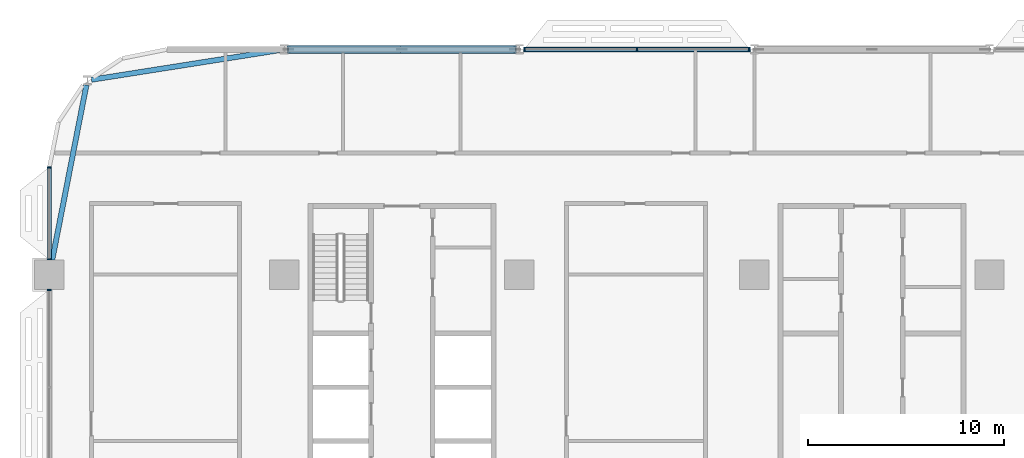
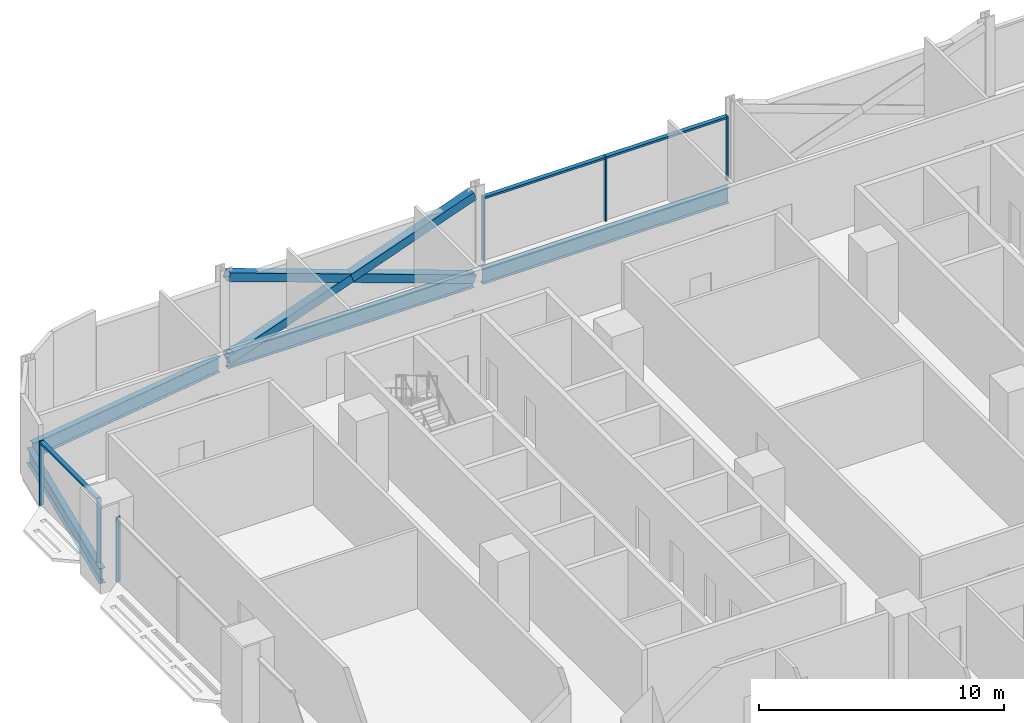
# One storey, part 6 of 29: 12 members, 4 beams, 3 elements without a shape of their own.
"""IFC4 building model written with IfcOpenShell, lengths in metres."""

from ifc_helpers import new_model, si_unit, direction, frame, origin, origin_2d, place, context, subcontext, project, spatial, rectangle, hollow_rectangle, i_section, extrude, material, material_profile, profile_set, type_object, element, aggregate, save


model = new_model("IFC4")

# Units and contexts
model_context = context("Model", 3, precision=1e-05, world=origin(), true_north=direction((0.0, 1.0)))
body_context = subcontext(model_context, "Body", "Model", "MODEL_VIEW")
ifc_project = project(units=[si_unit("LENGTHUNIT", "METRE"), si_unit("AREAUNIT", "SQUARE_METRE"), si_unit("VOLUMEUNIT", "CUBIC_METRE"), si_unit("PLANEANGLEUNIT", "RADIAN"), si_unit("MASSUNIT", "GRAM", prefix="KILO")], contexts=[model_context])

# Site, building, storey
site_placement = place(None, origin())
site = spatial("IfcSite", under=ifc_project, at=site_placement, CompositionType="ELEMENT")
building_placement = place(site_placement, origin())
building = spatial("IfcBuilding", under=site, at=building_placement, Name="Mahtab Terrace Research Tower", CompositionType="ELEMENT")
storey_placement = place(building_placement, frame((0.0, 0.0, 54.60009765625)))
storey = spatial("IfcBuildingStorey", under=building, at=storey_placement, Name="L12", CompositionType="ELEMENT", Elevation=54.60009765625)

# Members
ifc_material_1 = material(Name="Steel ASTM A500 Gr C", Category="steel")
ifc_material_profile_1 = material_profile(ifc_material_1, hollow_rectangle(XDim=0.406494140625, YDim=0.406494140625, WallThickness=0.01904296875, at=origin_2d()), Name="HSS16X16X3/4")
ifc_profile_set_1 = profile_set([ifc_material_profile_1], Name="Steel ASTM A500 Gr C")
member_type_1 = type_object("IfcMemberType", Name="HSS 16x16x3/4 brace XB161634", PredefinedType="BRACE", material=ifc_profile_set_1)
member_1_placement = place(storey_placement, frame((-18.212158203125, 23.0, -0.642578125), z_axis=(-0.941386519928, 0.0, 0.337329838731), x_axis=(0.0, -1.0, 0.0)))
element("IfcMember", 1, at=member_1_placement, inside=storey, type_object=member_type_1, Name="Exoskeleton brace L12 07 a", PredefinedType="BRACE", context=body_context, shape_type="SweptSolid", body=[
    extrude(hollow_rectangle(XDim=0.406494140625, YDim=0.406494140625, WallThickness=0.01904296875, at=origin_2d()), origin(), (0.0, 0.0, 1.0), 12.29638671875),
])
for number, where, z_axis, x_axis, name in (
    (2, (-29.787841796875, 23.0, -0.642578125), (0.941386519928, 0.0, 0.337329838731), (0.0, 1.0, 0.0), "Exoskeleton brace L12 07 b1"),
    (3, (-24.0, 23.0, 1.431396484375), (0.941386519928, 0.0, 0.337329838731), (0.0, 1.0, 0.0), "Exoskeleton brace L12 07 b2"),
):
    element("IfcMember", number, at=place(storey_placement, frame(where, z_axis=z_axis, x_axis=x_axis)), inside=storey, type_object=member_type_1, Name=name, PredefinedType="BRACE", context=body_context, shape_type="SweptSolid", body=[
        extrude(hollow_rectangle(XDim=0.406494140625, YDim=0.406494140625, WallThickness=0.01904296875, at=origin_2d()), origin(), (0.0, 0.0, 1.0), 6.148193359375),
    ])

# Curtain wall, members
ifc_material_2 = material(Name="Laboratory ribbon curtain wall")
curtain_wall_type = type_object("IfcCurtainWallType", Name="Laboratory ribbon curtain wall", PredefinedType="NOTDEFINED", material=ifc_material_2)
curtain_wall_1_placement = place(storey_placement, origin())
curtain_wall_1 = element("IfcCurtainWall", 4, at=curtain_wall_1_placement, inside=storey, type_object=curtain_wall_type, Name="EN.L12.3.8", PredefinedType="NOTDEFINED")
ifc_material_3 = material(Name="Natural anodised aluminium", Category="aluminium")
ifc_material_profile_2 = material_profile(ifc_material_3, rectangle(XDim=0.199951171875, YDim=0.06494140625, at=origin_2d()), Name="MULLION 65x200")
ifc_profile_set_2 = profile_set([ifc_material_profile_2], Name="Natural anodised aluminium")
member_type_2 = type_object("IfcMemberType", Name="Laboratory ribbon curtain wall mullion", PredefinedType="MULLION", material=ifc_profile_set_2)
member_2_placement = place(storey_placement, frame((-6.2705078125, 23.0, 0.0), z_axis=(0.0, 0.0, 1.0), x_axis=(0.0, -1.0, 0.0)))
member_2 = element("IfcMember", 5, at=member_2_placement, type_object=member_type_2, Name="CWL-2 mullion 1", PredefinedType="MULLION", context=body_context, shape_type="SweptSolid", body=[
    extrude(rectangle(XDim=0.199951171875, YDim=0.06494140625, at=origin_2d()), origin(), (0.0, 0.0, 1.0), 3.202880859375),
])
member_3_placement = place(storey_placement, frame((-12.0, 23.0, 0.0), z_axis=(0.0, 0.0, 1.0), x_axis=(0.0, -1.0, 0.0)))
member_3 = element("IfcMember", 6, at=member_3_placement, type_object=member_type_2, Name="CWL-2 mullion 2", PredefinedType="MULLION", context=body_context, shape_type="SweptSolid", body=[
    extrude(rectangle(XDim=0.199951171875, YDim=0.06494140625, at=origin_2d()), origin(), (0.0, 0.0, 1.0), 3.202880859375),
])
member_4_placement = place(storey_placement, frame((-17.7294921875, 23.0, 0.0), z_axis=(0.0, 0.0, 1.0), x_axis=(0.0, -1.0, 0.0)))
member_4 = element("IfcMember", 7, at=member_4_placement, type_object=member_type_2, Name="CWL-2 mullion 3", PredefinedType="MULLION", context=body_context, shape_type="SweptSolid", body=[
    extrude(rectangle(XDim=0.199951171875, YDim=0.06494140625, at=origin_2d()), origin(), (0.0, 0.0, 1.0), 3.202880859375),
])

curtain_wall_2_placement = place(storey_placement, origin())
curtain_wall_2 = element("IfcCurtainWall", 8, at=curtain_wall_2_placement, inside=storey, type_object=curtain_wall_type, Name="EN.L12.8.15", PredefinedType="NOTDEFINED")
member_5_placement = place(storey_placement, frame((-42.0, 16.967529296875, 0.0), z_axis=(0.0, 0.0, 1.0), x_axis=(1.0, 0.0, 0.0)))
member_5 = element("IfcMember", 9, at=member_5_placement, type_object=member_type_2, Name="CWL-2 mullion 1", PredefinedType="MULLION", context=body_context, shape_type="SweptSolid", body=[
    extrude(rectangle(XDim=0.199951171875, YDim=0.06494140625, at=origin_2d()), origin(), (0.0, 0.0, 1.0), 3.202880859375),
])
member_6_placement = place(storey_placement, frame((-42.0, 12.282470703125, 0.0), z_axis=(0.0, 0.0, 1.0), x_axis=(1.0, 0.0, 0.0)))
member_6 = element("IfcMember", 10, at=member_6_placement, type_object=member_type_2, Name="CWL-2 mullion 2", PredefinedType="MULLION", context=body_context, shape_type="SweptSolid", body=[
    extrude(rectangle(XDim=0.199951171875, YDim=0.06494140625, at=origin_2d()), origin(), (0.0, 0.0, 1.0), 3.202880859375),
])

# Curtain wall, member
curtain_wall_3_placement = place(storey_placement, origin())
curtain_wall_3 = element("IfcCurtainWall", 11, at=curtain_wall_3_placement, inside=storey, type_object=curtain_wall_type, Name="EN.L12.8.16", PredefinedType="NOTDEFINED")
member_7_placement = place(storey_placement, frame((-42.0, 10.717529296875, 0.0), z_axis=(0.0, 0.0, 1.0), x_axis=(1.0, 0.0, 0.0)))
member_7 = element("IfcMember", 12, at=member_7_placement, type_object=member_type_2, Name="CWL-2 mullion 1", PredefinedType="MULLION", context=body_context, shape_type="SweptSolid", body=[
    extrude(rectangle(XDim=0.199951171875, YDim=0.06494140625, at=origin_2d()), origin(), (0.0, 0.0, 1.0), 3.202880859375),
])
aggregate(curtain_wall_3, [member_7])

# Member
ifc_material_profile_3 = material_profile(ifc_material_3, rectangle(XDim=0.199951171875, YDim=0.10009765625, at=origin_2d()), Name="TRANSOM 100x200")
ifc_profile_set_3 = profile_set([ifc_material_profile_3], Name="Natural anodised aluminium")
member_type_3 = type_object("IfcMemberType", Name="Laboratory ribbon curtain wall transom", PredefinedType="USERDEFINED", material=ifc_profile_set_3)
member_8_placement = place(storey_placement, frame((-6.302978515625, 23.0, 3.153076171875), z_axis=(-1.0, 0.0, 0.0), x_axis=(0.0, -1.0, 0.0)))
member_8 = element("IfcMember", 13, at=member_8_placement, type_object=member_type_3, Name="CWL-2 transom 1", ObjectType="TRANSOM", PredefinedType="USERDEFINED", context=body_context, shape_type="SweptSolid", body=[
    extrude(rectangle(XDim=0.199951171875, YDim=0.10009765625, at=origin_2d()), origin(), (0.0, 0.0, 1.0), 5.66455078125),
])

member_9_placement = place(storey_placement, frame((-12.032470703125, 23.0, 3.153076171875), z_axis=(-1.0, 0.0, 0.0), x_axis=(0.0, -1.0, 0.0)))
member_9 = element("IfcMember", 14, at=member_9_placement, type_object=member_type_3, Name="CWL-2 transom 2", ObjectType="TRANSOM", PredefinedType="USERDEFINED", context=body_context, shape_type="SweptSolid", body=[
    extrude(rectangle(XDim=0.199951171875, YDim=0.10009765625, at=origin_2d()), origin(), (0.0, 0.0, 1.0), 5.66455078125),
])

aggregate(curtain_wall_1, [member_2, member_3, member_4, member_8, member_9])

member_10_placement = place(storey_placement, frame((-42.0, 16.93505859375, 3.153076171875), z_axis=(0.0, -1.0, 0.0), x_axis=(1.0, 0.0, 0.0)))
member_10 = element("IfcMember", 15, at=member_10_placement, type_object=member_type_3, Name="CWL-2 transom 1", ObjectType="TRANSOM", PredefinedType="USERDEFINED", context=body_context, shape_type="SweptSolid", body=[
    extrude(rectangle(XDim=0.199951171875, YDim=0.10009765625, at=origin_2d()), origin(), (0.0, 0.0, 1.0), 4.6201171875),
])

aggregate(curtain_wall_2, [member_5, member_6, member_10])

# Beams
ifc_material_4 = material(Name="Steel ASTM A992 Gr 50", Category="steel")
ifc_material_profile_4 = material_profile(ifc_material_4, i_section(OverallWidth=0.2666015625, OverallDepth=0.7568359375, WebThickness=0.013916015625, FlangeThickness=0.019287109375, at=origin_2d()), Name="W30X108")
ifc_profile_set_4 = profile_set([ifc_material_profile_4], Name="Steel ASTM A992 Gr 50")
beam_type = type_object("IfcBeamType", Name="W30x108 beam BS30108", PredefinedType="BEAM", material=ifc_profile_set_4)
for number, where, z_axis, x_axis, name in (
    (16, (-6.212158203125, 23.0, -0.718505859375), (-1.0, 0.0, 0.0), (0.0, -1.0, 0.0), "Spandrel beam L12 06"),
    (17, (-18.212158203125, 23.0, -0.718505859375), (-1.0, 0.0, 0.0), (0.0, -1.0, 0.0), "Spandrel beam L12 07"),
):
    element("IfcBeam", number, at=place(storey_placement, frame(where, z_axis=z_axis, x_axis=x_axis)), inside=storey, type_object=beam_type, Name=name, PredefinedType="BEAM", context=body_context, shape_type="SweptSolid", body=[
        extrude(i_section(OverallWidth=0.2666015625, OverallDepth=0.7568359375, WebThickness=0.013916015625, FlangeThickness=0.019287109375, at=origin_2d()), origin(), (0.0, 0.0, 1.0), 11.57568359375),
    ])
beam_1_placement = place(storey_placement, frame((-30.212158203125, 22.966552734375, -0.718505859375), z_axis=(-0.987836303792, -0.155497385545, 0.0), x_axis=(0.155497385545, -0.987836303792, 0.0)))
element("IfcBeam", 18, at=beam_1_placement, inside=storey, type_object=beam_type, Name="Spandrel beam L12 08", PredefinedType="BEAM", context=body_context, shape_type="SweptSolid", body=[
    extrude(i_section(OverallWidth=0.2666015625, OverallDepth=0.7568359375, WebThickness=0.013916015625, FlangeThickness=0.019287109375, at=origin_2d()), origin(), (0.0, 0.0, 1.0), 9.75634765625),
])
beam_2_placement = place(storey_placement, frame((-40.1083984375, 21.178466796875, -0.718505859375), z_axis=(-0.191825617976, -0.981429025599, 0.0), x_axis=(0.981429025599, -0.191825617976, 0.0)))
element("IfcBeam", 19, at=beam_2_placement, inside=storey, type_object=beam_type, Name="Spandrel beam L12 09", PredefinedType="BEAM", context=body_context, shape_type="SweptSolid", body=[
    extrude(i_section(OverallWidth=0.2666015625, OverallDepth=0.7568359375, WebThickness=0.013916015625, FlangeThickness=0.019287109375, at=origin_2d()), origin(), (0.0, 0.0, 1.0), 9.097412109375),
])

save(model, "model.ifc")
